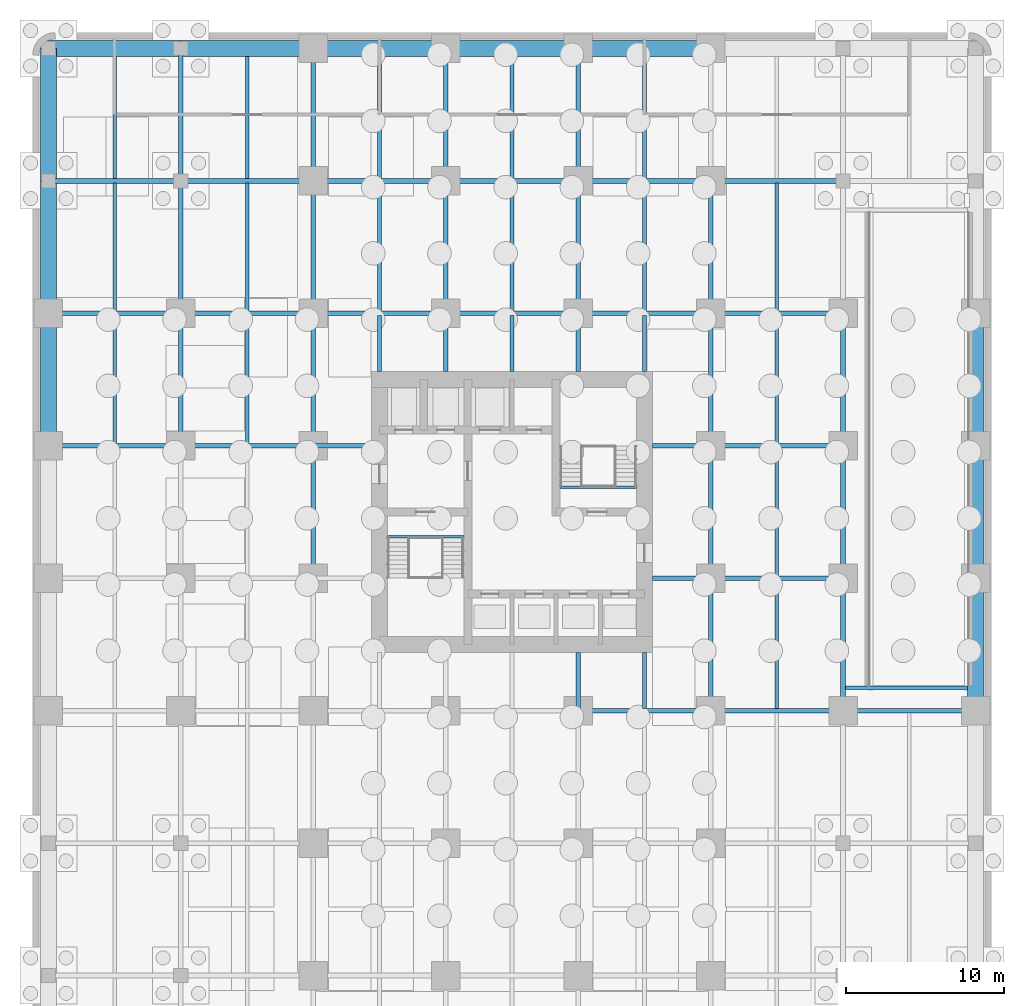
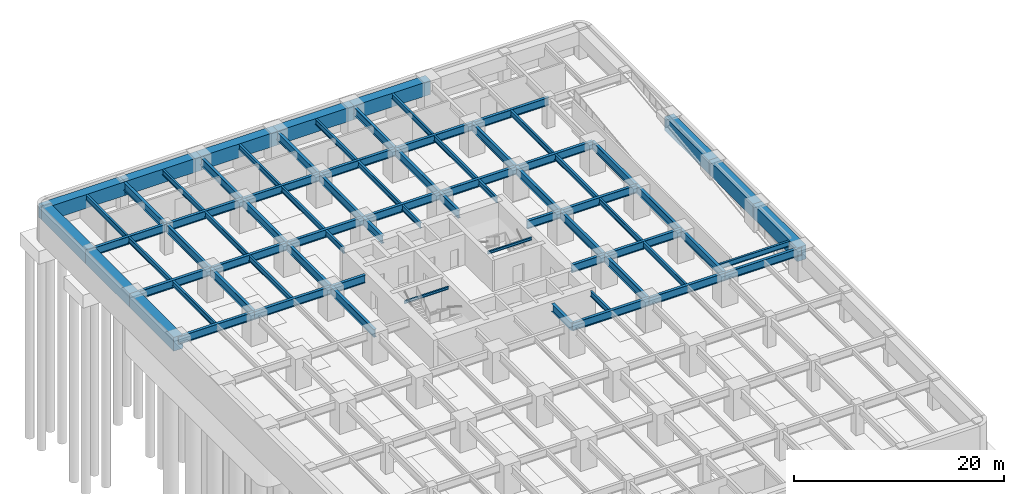
# One storey, part 4 of 11: 77 beams.
"""IFC4 building model written with IfcOpenShell, lengths in metres."""

from ifc_helpers import new_model, si_unit, direction, frame, origin, origin_2d, place, context, subcontext, project, spatial, rectangle, i_section, extrude, material, material_profile, profile_set, type_object, element, save


model = new_model("IFC4")

# Units and contexts
model_context = context("Model", 3, precision=1e-05, world=origin(), true_north=direction((0.0, 1.0)))
body_context = subcontext(model_context, "Body", "Model", "MODEL_VIEW")
ifc_project = project(units=[si_unit("LENGTHUNIT", "METRE"), si_unit("AREAUNIT", "SQUARE_METRE"), si_unit("VOLUMEUNIT", "CUBIC_METRE"), si_unit("PLANEANGLEUNIT", "RADIAN"), si_unit("MASSUNIT", "GRAM", prefix="KILO")], contexts=[model_context])

# Site, building, storey
site_placement = place(None, origin())
site = spatial("IfcSite", under=ifc_project, at=site_placement, CompositionType="ELEMENT")
building_placement = place(site_placement, origin())
building = spatial("IfcBuilding", under=site, at=building_placement, Name="Torre Alcanfor", CompositionType="ELEMENT")
storey_placement = place(building_placement, frame((0.0, 0.0, -7.199951171875)))
storey = spatial("IfcBuildingStorey", under=building, at=storey_placement, Name="B2", CompositionType="ELEMENT", Elevation=-7.199951171875)

# Beams
ifc_material_1 = material(Name="Steel ASTM A992 Grade 50", Category="steel")
ifc_material_profile_1 = material_profile(ifc_material_1, i_section(OverallWidth=0.3046875, OverallDepth=0.911865234375, WebThickness=0.015869140625, FlangeThickness=0.02392578125, at=origin_2d()), Name="W36x150")
ifc_profile_set_1 = profile_set([ifc_material_profile_1], Name="Steel ASTM A992 Grade 50")
beam_type_1 = type_object("IfcBeamType", Name="Girder W36x150", PredefinedType="BEAM", material=ifc_profile_set_1)
for number, where, z_axis, x_axis, name in (
    (1, (33.60009765625, 16.800048828125, 2.89404296875), (1.0, 0.0, 0.0), (0.0, 1.0, 0.0), "Beam 5E-6E under B1"),
    (2, (42.0, 16.800048828125, 2.89404296875), (1.0, 0.0, 0.0), (0.0, 1.0, 0.0), "Beam 6E-7E under B1"),
):
    element("IfcBeam", number, at=place(storey_placement, frame(where, z_axis=z_axis, x_axis=x_axis)), inside=storey, type_object=beam_type_1, Name=name, PredefinedType="BEAM", context=body_context, shape_type="SweptSolid", body=[
        extrude(i_section(OverallWidth=0.3046875, OverallDepth=0.911865234375, WebThickness=0.015869140625, FlangeThickness=0.02392578125, at=origin_2d()), origin(), (0.0, 0.0, 1.0), 8.39990234375),
    ])
beam_1_placement = place(storey_placement, frame((50.39990234375, 16.800048828125, 2.89404296875), z_axis=(1.0, 0.0, 0.0), x_axis=(0.0, 1.0, 0.0)))
element("IfcBeam", 3, at=beam_1_placement, inside=storey, type_object=beam_type_1, Name="Beam 7E-8E under B1", PredefinedType="BEAM", context=body_context, shape_type="SweptSolid", body=[
    extrude(i_section(OverallWidth=0.3046875, OverallDepth=0.911865234375, WebThickness=0.015869140625, FlangeThickness=0.02392578125, at=origin_2d()), origin(), (0.0, 0.0, 1.0), 8.400146484375),
])
for number, where, z_axis, x_axis, name in (
    (4, (42.0, 25.199951171875, 2.89404296875), (1.0, 0.0, 0.0), (0.0, 1.0, 0.0), "Beam 6F-7F under B1"),
    (5, (0.0, 33.60009765625, 2.89404296875), (1.0, 0.0, 0.0), (0.0, 1.0, 0.0), "Beam 1G-2G under B1"),
):
    element("IfcBeam", number, at=place(storey_placement, frame(where, z_axis=z_axis, x_axis=x_axis)), inside=storey, type_object=beam_type_1, Name=name, PredefinedType="BEAM", context=body_context, shape_type="SweptSolid", body=[
        extrude(i_section(OverallWidth=0.3046875, OverallDepth=0.911865234375, WebThickness=0.015869140625, FlangeThickness=0.02392578125, at=origin_2d()), origin(), (0.0, 0.0, 1.0), 8.39990234375),
    ])
beam_2_placement = place(storey_placement, frame((8.39990234375, 33.60009765625, 2.89404296875), z_axis=(1.0, 0.0, 0.0), x_axis=(0.0, 1.0, 0.0)))
element("IfcBeam", 6, at=beam_2_placement, inside=storey, type_object=beam_type_1, Name="Beam 2G-3G under B1", PredefinedType="BEAM", context=body_context, shape_type="SweptSolid", body=[
    extrude(i_section(OverallWidth=0.3046875, OverallDepth=0.911865234375, WebThickness=0.015869140625, FlangeThickness=0.02392578125, at=origin_2d()), origin(), (0.0, 0.0, 1.0), 8.400146484375),
])
for number, where, z_axis, x_axis, name in (
    (7, (42.0, 33.60009765625, 2.89404296875), (1.0, 0.0, 0.0), (0.0, 1.0, 0.0), "Beam 6G-7G under B1"),
    (8, (0.0, 42.0, 2.89404296875), (1.0, 0.0, 0.0), (0.0, 1.0, 0.0), "Beam 1H-2H under B1"),
):
    element("IfcBeam", number, at=place(storey_placement, frame(where, z_axis=z_axis, x_axis=x_axis)), inside=storey, type_object=beam_type_1, Name=name, PredefinedType="BEAM", context=body_context, shape_type="SweptSolid", body=[
        extrude(i_section(OverallWidth=0.3046875, OverallDepth=0.911865234375, WebThickness=0.015869140625, FlangeThickness=0.02392578125, at=origin_2d()), origin(), (0.0, 0.0, 1.0), 8.39990234375),
    ])
beam_3_placement = place(storey_placement, frame((8.39990234375, 42.0, 2.89404296875), z_axis=(1.0, 0.0, 0.0), x_axis=(0.0, 1.0, 0.0)))
element("IfcBeam", 9, at=beam_3_placement, inside=storey, type_object=beam_type_1, Name="Beam 2H-3H under B1", PredefinedType="BEAM", context=body_context, shape_type="SweptSolid", body=[
    extrude(i_section(OverallWidth=0.3046875, OverallDepth=0.911865234375, WebThickness=0.015869140625, FlangeThickness=0.02392578125, at=origin_2d()), origin(), (0.0, 0.0, 1.0), 8.400146484375),
])
beam_4_placement = place(storey_placement, frame((16.800048828125, 42.0, 2.89404296875), z_axis=(1.0, 0.0, 0.0), x_axis=(0.0, 1.0, 0.0)))
element("IfcBeam", 10, at=beam_4_placement, inside=storey, type_object=beam_type_1, Name="Beam 3H-4H under B1", PredefinedType="BEAM", context=body_context, shape_type="SweptSolid", body=[
    extrude(i_section(OverallWidth=0.3046875, OverallDepth=0.911865234375, WebThickness=0.015869140625, FlangeThickness=0.02392578125, at=origin_2d()), origin(), (0.0, 0.0, 1.0), 8.39990234375),
])
beam_5_placement = place(storey_placement, frame((25.199951171875, 42.0, 2.89404296875), z_axis=(1.0, 0.0, 0.0), x_axis=(0.0, 1.0, 0.0)))
element("IfcBeam", 11, at=beam_5_placement, inside=storey, type_object=beam_type_1, Name="Beam 4H-5H under B1", PredefinedType="BEAM", context=body_context, shape_type="SweptSolid", body=[
    extrude(i_section(OverallWidth=0.3046875, OverallDepth=0.911865234375, WebThickness=0.015869140625, FlangeThickness=0.02392578125, at=origin_2d()), origin(), (0.0, 0.0, 1.0), 8.400146484375),
])
for number, where, z_axis, x_axis, name in (
    (12, (33.60009765625, 42.0, 2.89404296875), (1.0, 0.0, 0.0), (0.0, 1.0, 0.0), "Beam 5H-6H under B1"),
    (13, (42.0, 42.0, 2.89404296875), (1.0, 0.0, 0.0), (0.0, 1.0, 0.0), "Beam 6H-7H under B1"),
    (14, (0.0, 50.39990234375, 2.89404296875), (1.0, 0.0, 0.0), (0.0, 1.0, 0.0), "Beam 1J-2J under B1"),
):
    element("IfcBeam", number, at=place(storey_placement, frame(where, z_axis=z_axis, x_axis=x_axis)), inside=storey, type_object=beam_type_1, Name=name, PredefinedType="BEAM", context=body_context, shape_type="SweptSolid", body=[
        extrude(i_section(OverallWidth=0.3046875, OverallDepth=0.911865234375, WebThickness=0.015869140625, FlangeThickness=0.02392578125, at=origin_2d()), origin(), (0.0, 0.0, 1.0), 8.39990234375),
    ])
beam_6_placement = place(storey_placement, frame((8.39990234375, 50.39990234375, 2.89404296875), z_axis=(1.0, 0.0, 0.0), x_axis=(0.0, 1.0, 0.0)))
element("IfcBeam", 15, at=beam_6_placement, inside=storey, type_object=beam_type_1, Name="Beam 2J-3J under B1", PredefinedType="BEAM", context=body_context, shape_type="SweptSolid", body=[
    extrude(i_section(OverallWidth=0.3046875, OverallDepth=0.911865234375, WebThickness=0.015869140625, FlangeThickness=0.02392578125, at=origin_2d()), origin(), (0.0, 0.0, 1.0), 8.400146484375),
])
beam_7_placement = place(storey_placement, frame((16.800048828125, 50.39990234375, 2.89404296875), z_axis=(1.0, 0.0, 0.0), x_axis=(0.0, 1.0, 0.0)))
element("IfcBeam", 16, at=beam_7_placement, inside=storey, type_object=beam_type_1, Name="Beam 3J-4J under B1", PredefinedType="BEAM", context=body_context, shape_type="SweptSolid", body=[
    extrude(i_section(OverallWidth=0.3046875, OverallDepth=0.911865234375, WebThickness=0.015869140625, FlangeThickness=0.02392578125, at=origin_2d()), origin(), (0.0, 0.0, 1.0), 8.39990234375),
])
beam_8_placement = place(storey_placement, frame((25.199951171875, 50.39990234375, 2.89404296875), z_axis=(1.0, 0.0, 0.0), x_axis=(0.0, 1.0, 0.0)))
element("IfcBeam", 17, at=beam_8_placement, inside=storey, type_object=beam_type_1, Name="Beam 4J-5J under B1", PredefinedType="BEAM", context=body_context, shape_type="SweptSolid", body=[
    extrude(i_section(OverallWidth=0.3046875, OverallDepth=0.911865234375, WebThickness=0.015869140625, FlangeThickness=0.02392578125, at=origin_2d()), origin(), (0.0, 0.0, 1.0), 8.400146484375),
])
for number, where, z_axis, x_axis, name in (
    (18, (33.60009765625, 50.39990234375, 2.89404296875), (1.0, 0.0, 0.0), (0.0, 1.0, 0.0), "Beam 5J-6J under B1"),
    (19, (42.0, 50.39990234375, 2.89404296875), (1.0, 0.0, 0.0), (0.0, 1.0, 0.0), "Beam 6J-7J under B1"),
    (20, (8.39990234375, 33.60009765625, 2.89404296875), (0.0, 1.0, 0.0), (-1.0, 0.0, 0.0), "Beam 2G-2H under B1"),
    (21, (8.39990234375, 42.0, 2.89404296875), (0.0, 1.0, 0.0), (-1.0, 0.0, 0.0), "Beam 2H-2J under B1"),
):
    element("IfcBeam", number, at=place(storey_placement, frame(where, z_axis=z_axis, x_axis=x_axis)), inside=storey, type_object=beam_type_1, Name=name, PredefinedType="BEAM", context=body_context, shape_type="SweptSolid", body=[
        extrude(i_section(OverallWidth=0.3046875, OverallDepth=0.911865234375, WebThickness=0.015869140625, FlangeThickness=0.02392578125, at=origin_2d()), origin(), (0.0, 0.0, 1.0), 8.39990234375),
    ])
for number, where, z_axis, x_axis, name in (
    (22, (8.39990234375, 50.39990234375, 2.89404296875), (0.0, 1.0, 0.0), (-1.0, 0.0, 0.0), "Beam 2J-2K under B1"),
    (23, (16.800048828125, 25.199951171875, 2.89404296875), (0.0, 1.0, 0.0), (-1.0, 0.0, 0.0), "Beam 3F-3G under B1"),
):
    element("IfcBeam", number, at=place(storey_placement, frame(where, z_axis=z_axis, x_axis=x_axis)), inside=storey, type_object=beam_type_1, Name=name, PredefinedType="BEAM", context=body_context, shape_type="SweptSolid", body=[
        extrude(i_section(OverallWidth=0.3046875, OverallDepth=0.911865234375, WebThickness=0.015869140625, FlangeThickness=0.02392578125, at=origin_2d()), origin(), (0.0, 0.0, 1.0), 8.400146484375),
    ])
for number, where, z_axis, x_axis, name in (
    (24, (16.800048828125, 33.60009765625, 2.89404296875), (0.0, 1.0, 0.0), (-1.0, 0.0, 0.0), "Beam 3G-3H under B1"),
    (25, (16.800048828125, 42.0, 2.89404296875), (0.0, 1.0, 0.0), (-1.0, 0.0, 0.0), "Beam 3H-3J under B1"),
):
    element("IfcBeam", number, at=place(storey_placement, frame(where, z_axis=z_axis, x_axis=x_axis)), inside=storey, type_object=beam_type_1, Name=name, PredefinedType="BEAM", context=body_context, shape_type="SweptSolid", body=[
        extrude(i_section(OverallWidth=0.3046875, OverallDepth=0.911865234375, WebThickness=0.015869140625, FlangeThickness=0.02392578125, at=origin_2d()), origin(), (0.0, 0.0, 1.0), 8.39990234375),
    ])
beam_9_placement = place(storey_placement, frame((16.800048828125, 50.39990234375, 2.89404296875), z_axis=(0.0, 1.0, 0.0), x_axis=(-1.0, 0.0, 0.0)))
element("IfcBeam", 26, at=beam_9_placement, inside=storey, type_object=beam_type_1, Name="Beam 3J-3K under B1", PredefinedType="BEAM", context=body_context, shape_type="SweptSolid", body=[
    extrude(i_section(OverallWidth=0.3046875, OverallDepth=0.911865234375, WebThickness=0.015869140625, FlangeThickness=0.02392578125, at=origin_2d()), origin(), (0.0, 0.0, 1.0), 8.400146484375),
])
beam_10_placement = place(storey_placement, frame((25.199951171875, 42.0, 2.89404296875), z_axis=(0.0, 1.0, 0.0), x_axis=(-1.0, 0.0, 0.0)))
element("IfcBeam", 27, at=beam_10_placement, inside=storey, type_object=beam_type_1, Name="Beam 4H-4J under B1", PredefinedType="BEAM", context=body_context, shape_type="SweptSolid", body=[
    extrude(i_section(OverallWidth=0.3046875, OverallDepth=0.911865234375, WebThickness=0.015869140625, FlangeThickness=0.02392578125, at=origin_2d()), origin(), (0.0, 0.0, 1.0), 8.39990234375),
])
beam_11_placement = place(storey_placement, frame((25.199951171875, 50.39990234375, 2.89404296875), z_axis=(0.0, 1.0, 0.0), x_axis=(-1.0, 0.0, 0.0)))
element("IfcBeam", 28, at=beam_11_placement, inside=storey, type_object=beam_type_1, Name="Beam 4J-4K under B1", PredefinedType="BEAM", context=body_context, shape_type="SweptSolid", body=[
    extrude(i_section(OverallWidth=0.3046875, OverallDepth=0.911865234375, WebThickness=0.015869140625, FlangeThickness=0.02392578125, at=origin_2d()), origin(), (0.0, 0.0, 1.0), 8.400146484375),
])
beam_12_placement = place(storey_placement, frame((33.60009765625, 42.0, 2.89404296875), z_axis=(0.0, 1.0, 0.0), x_axis=(-1.0, 0.0, 0.0)))
element("IfcBeam", 29, at=beam_12_placement, inside=storey, type_object=beam_type_1, Name="Beam 5H-5J under B1", PredefinedType="BEAM", context=body_context, shape_type="SweptSolid", body=[
    extrude(i_section(OverallWidth=0.3046875, OverallDepth=0.911865234375, WebThickness=0.015869140625, FlangeThickness=0.02392578125, at=origin_2d()), origin(), (0.0, 0.0, 1.0), 8.39990234375),
])
beam_13_placement = place(storey_placement, frame((33.60009765625, 50.39990234375, 2.89404296875), z_axis=(0.0, 1.0, 0.0), x_axis=(-1.0, 0.0, 0.0)))
element("IfcBeam", 30, at=beam_13_placement, inside=storey, type_object=beam_type_1, Name="Beam 5J-5K under B1", PredefinedType="BEAM", context=body_context, shape_type="SweptSolid", body=[
    extrude(i_section(OverallWidth=0.3046875, OverallDepth=0.911865234375, WebThickness=0.015869140625, FlangeThickness=0.02392578125, at=origin_2d()), origin(), (0.0, 0.0, 1.0), 8.400146484375),
])
beam_14_placement = place(storey_placement, frame((42.0, 16.800048828125, 2.89404296875), z_axis=(0.0, 1.0, 0.0), x_axis=(-1.0, 0.0, 0.0)))
element("IfcBeam", 31, at=beam_14_placement, inside=storey, type_object=beam_type_1, Name="Beam 6E-6F under B1", PredefinedType="BEAM", context=body_context, shape_type="SweptSolid", body=[
    extrude(i_section(OverallWidth=0.3046875, OverallDepth=0.911865234375, WebThickness=0.015869140625, FlangeThickness=0.02392578125, at=origin_2d()), origin(), (0.0, 0.0, 1.0), 8.39990234375),
])
beam_15_placement = place(storey_placement, frame((42.0, 25.199951171875, 2.89404296875), z_axis=(0.0, 1.0, 0.0), x_axis=(-1.0, 0.0, 0.0)))
element("IfcBeam", 32, at=beam_15_placement, inside=storey, type_object=beam_type_1, Name="Beam 6F-6G under B1", PredefinedType="BEAM", context=body_context, shape_type="SweptSolid", body=[
    extrude(i_section(OverallWidth=0.3046875, OverallDepth=0.911865234375, WebThickness=0.015869140625, FlangeThickness=0.02392578125, at=origin_2d()), origin(), (0.0, 0.0, 1.0), 8.400146484375),
])
for number, where, z_axis, x_axis, name in (
    (33, (42.0, 33.60009765625, 2.89404296875), (0.0, 1.0, 0.0), (-1.0, 0.0, 0.0), "Beam 6G-6H under B1"),
    (34, (42.0, 42.0, 2.89404296875), (0.0, 1.0, 0.0), (-1.0, 0.0, 0.0), "Beam 6H-6J under B1"),
    (35, (50.39990234375, 16.800048828125, 2.89404296875), (0.0, 1.0, 0.0), (-1.0, 0.0, 0.0), "Beam 7E-7F under B1"),
):
    element("IfcBeam", number, at=place(storey_placement, frame(where, z_axis=z_axis, x_axis=x_axis)), inside=storey, type_object=beam_type_1, Name=name, PredefinedType="BEAM", context=body_context, shape_type="SweptSolid", body=[
        extrude(i_section(OverallWidth=0.3046875, OverallDepth=0.911865234375, WebThickness=0.015869140625, FlangeThickness=0.02392578125, at=origin_2d()), origin(), (0.0, 0.0, 1.0), 8.39990234375),
    ])
beam_16_placement = place(storey_placement, frame((50.39990234375, 25.199951171875, 2.89404296875), z_axis=(0.0, 1.0, 0.0), x_axis=(-1.0, 0.0, 0.0)))
element("IfcBeam", 36, at=beam_16_placement, inside=storey, type_object=beam_type_1, Name="Beam 7F-7G under B1", PredefinedType="BEAM", context=body_context, shape_type="SweptSolid", body=[
    extrude(i_section(OverallWidth=0.3046875, OverallDepth=0.911865234375, WebThickness=0.015869140625, FlangeThickness=0.02392578125, at=origin_2d()), origin(), (0.0, 0.0, 1.0), 8.400146484375),
])
beam_17_placement = place(storey_placement, frame((50.39990234375, 33.60009765625, 2.89404296875), z_axis=(0.0, 1.0, 0.0), x_axis=(-1.0, 0.0, 0.0)))
element("IfcBeam", 37, at=beam_17_placement, inside=storey, type_object=beam_type_1, Name="Beam 7G-7H under B1", PredefinedType="BEAM", context=body_context, shape_type="SweptSolid", body=[
    extrude(i_section(OverallWidth=0.3046875, OverallDepth=0.911865234375, WebThickness=0.015869140625, FlangeThickness=0.02392578125, at=origin_2d()), origin(), (0.0, 0.0, 1.0), 8.39990234375),
])
ifc_material_2 = material(Name="Steel ASTM A992 Grade 50", Category="steel")
ifc_material_profile_2 = material_profile(ifc_material_2, i_section(OverallWidth=0.3046875, OverallDepth=0.911865234375, WebThickness=0.015869140625, FlangeThickness=0.02392578125, at=origin_2d()), Name="W36x150")
ifc_profile_set_2 = profile_set([ifc_material_profile_2], Name="Steel ASTM A992 Grade 50")
beam_type_2 = type_object("IfcBeamType", Name="Girder, part bay W36x150", PredefinedType="BEAM", material=ifc_profile_set_2)
for number, where, z_axis, x_axis, name in (
    (38, (25.199951171875, 42.0, 2.89404296875), (0.0, -1.0, 0.0), (1.0, 0.0, 0.0), "Beam 4H-438_3 under B1"),
    (39, (33.60009765625, 16.800048828125, 2.89404296875), (0.0, 1.0, 0.0), (-1.0, 0.0, 0.0), "Beam 5E-520_5 under B1"),
    (40, (33.60009765625, 42.0, 2.89404296875), (0.0, -1.0, 0.0), (1.0, 0.0, 0.0), "Beam 5H-538_3 under B1"),
    (41, (42.0, 25.199951171875, 2.89404296875), (-1.0, 0.0, 0.0), (0.0, -1.0, 0.0), "Beam 6F-38_3F under B1"),
    (42, (16.800048828125, 33.60009765625, 2.89404296875), (1.0, 0.0, 0.0), (0.0, 1.0, 0.0), "Beam 3G-20_5G under B1"),
    (43, (42.0, 33.60009765625, 2.89404296875), (-1.0, 0.0, 0.0), (0.0, -1.0, 0.0), "Beam 6G-38_3G under B1"),
):
    element("IfcBeam", number, at=place(storey_placement, frame(where, z_axis=z_axis, x_axis=x_axis)), inside=storey, type_object=beam_type_2, Name=name, PredefinedType="BEAM", context=body_context, shape_type="SweptSolid", body=[
        extrude(i_section(OverallWidth=0.3046875, OverallDepth=0.911865234375, WebThickness=0.015869140625, FlangeThickness=0.02392578125, at=origin_2d()), origin(), (0.0, 0.0, 1.0), 3.699951171875),
    ])
ifc_material_3 = material(Name="Concrete f'c 70 MPa", Category="concrete")
ifc_material_profile_3 = material_profile(ifc_material_3, rectangle(XDim=1.0, YDim=1.60009765625, at=origin_2d()), Name="1000x1600")
ifc_profile_set_3 = profile_set([ifc_material_profile_3], Name="Concrete f'c 70 MPa")
beam_type_3 = type_object("IfcBeamType", Name="RC perimeter beam 1000x1600", PredefinedType="BEAM", material=ifc_profile_set_3)
beam_18_placement = place(storey_placement, frame((-0.5, 58.800048828125, 2.550048828125), z_axis=(1.0, 0.0, 0.0), x_axis=(0.0, 1.0, 0.0)))
element("IfcBeam", 44, at=beam_18_placement, inside=storey, type_object=beam_type_3, Name="Beam 1K-2K under B1", PredefinedType="BEAM", context=body_context, shape_type="SweptSolid", body=[
    extrude(rectangle(XDim=1.0, YDim=1.60009765625, at=origin_2d()), origin(), (0.0, 0.0, 1.0), 8.89990234375),
])
beam_19_placement = place(storey_placement, frame((8.39990234375, 58.800048828125, 2.550048828125), z_axis=(1.0, 0.0, 0.0), x_axis=(0.0, 1.0, 0.0)))
element("IfcBeam", 45, at=beam_19_placement, inside=storey, type_object=beam_type_3, Name="Beam 2K-3K under B1", PredefinedType="BEAM", context=body_context, shape_type="SweptSolid", body=[
    extrude(rectangle(XDim=1.0, YDim=1.60009765625, at=origin_2d()), origin(), (0.0, 0.0, 1.0), 8.400146484375),
])
beam_20_placement = place(storey_placement, frame((16.800048828125, 58.800048828125, 2.550048828125), z_axis=(1.0, 0.0, 0.0), x_axis=(0.0, 1.0, 0.0)))
element("IfcBeam", 46, at=beam_20_placement, inside=storey, type_object=beam_type_3, Name="Beam 3K-4K under B1", PredefinedType="BEAM", context=body_context, shape_type="SweptSolid", body=[
    extrude(rectangle(XDim=1.0, YDim=1.60009765625, at=origin_2d()), origin(), (0.0, 0.0, 1.0), 8.39990234375),
])
beam_21_placement = place(storey_placement, frame((25.199951171875, 58.800048828125, 2.550048828125), z_axis=(1.0, 0.0, 0.0), x_axis=(0.0, 1.0, 0.0)))
element("IfcBeam", 47, at=beam_21_placement, inside=storey, type_object=beam_type_3, Name="Beam 4K-5K under B1", PredefinedType="BEAM", context=body_context, shape_type="SweptSolid", body=[
    extrude(rectangle(XDim=1.0, YDim=1.60009765625, at=origin_2d()), origin(), (0.0, 0.0, 1.0), 8.400146484375),
])
for number, where, z_axis, x_axis, name in (
    (48, (33.60009765625, 58.800048828125, 2.550048828125), (1.0, 0.0, 0.0), (0.0, 1.0, 0.0), "Beam 5K-6K under B1"),
    (49, (0.0, 33.60009765625, 2.550048828125), (0.0, 1.0, 0.0), (-1.0, 0.0, 0.0), "Beam 1G-1H under B1"),
    (50, (0.0, 42.0, 2.550048828125), (0.0, 1.0, 0.0), (-1.0, 0.0, 0.0), "Beam 1H-1J under B1"),
):
    element("IfcBeam", number, at=place(storey_placement, frame(where, z_axis=z_axis, x_axis=x_axis)), inside=storey, type_object=beam_type_3, Name=name, PredefinedType="BEAM", context=body_context, shape_type="SweptSolid", body=[
        extrude(rectangle(XDim=1.0, YDim=1.60009765625, at=origin_2d()), origin(), (0.0, 0.0, 1.0), 8.39990234375),
    ])
beam_22_placement = place(storey_placement, frame((0.0, 50.39990234375, 2.550048828125), z_axis=(0.0, 1.0, 0.0), x_axis=(-1.0, 0.0, 0.0)))
element("IfcBeam", 51, at=beam_22_placement, inside=storey, type_object=beam_type_3, Name="Beam 1J-1K under B1", PredefinedType="BEAM", context=body_context, shape_type="SweptSolid", body=[
    extrude(rectangle(XDim=1.0, YDim=1.60009765625, at=origin_2d()), origin(), (0.0, 0.0, 1.0), 8.400146484375),
])
beam_23_placement = place(storey_placement, frame((58.800048828125, 16.800048828125, 2.550048828125), z_axis=(0.0, 1.0, 0.0), x_axis=(-1.0, 0.0, 0.0)))
element("IfcBeam", 52, at=beam_23_placement, inside=storey, type_object=beam_type_3, Name="Beam 8E-8F under B1", PredefinedType="BEAM", context=body_context, shape_type="SweptSolid", body=[
    extrude(rectangle(XDim=1.0, YDim=1.60009765625, at=origin_2d()), origin(), (0.0, 0.0, 1.0), 8.39990234375),
])
beam_24_placement = place(storey_placement, frame((58.800048828125, 25.199951171875, 2.550048828125), z_axis=(0.0, 1.0, 0.0), x_axis=(-1.0, 0.0, 0.0)))
element("IfcBeam", 53, at=beam_24_placement, inside=storey, type_object=beam_type_3, Name="Beam 8F-8G under B1", PredefinedType="BEAM", context=body_context, shape_type="SweptSolid", body=[
    extrude(rectangle(XDim=1.0, YDim=1.60009765625, at=origin_2d()), origin(), (0.0, 0.0, 1.0), 8.400146484375),
])
beam_25_placement = place(storey_placement, frame((58.800048828125, 33.60009765625, 2.550048828125), z_axis=(0.0, 1.0, 0.0), x_axis=(-1.0, 0.0, 0.0)))
element("IfcBeam", 54, at=beam_25_placement, inside=storey, type_object=beam_type_3, Name="Beam 8G-8H under B1", PredefinedType="BEAM", context=body_context, shape_type="SweptSolid", body=[
    extrude(rectangle(XDim=1.0, YDim=1.60009765625, at=origin_2d()), origin(), (0.0, 0.0, 1.0), 8.39990234375),
])
ifc_material_4 = material(Name="Steel ASTM A992 Grade 50", Category="steel")
ifc_material_profile_4 = material_profile(ifc_material_4, i_section(OverallWidth=0.22900390625, OverallDepth=0.612060546875, WebThickness=0.011962890625, FlangeThickness=0.01953125, at=origin_2d()), Name="W24x84")
ifc_profile_set_4 = profile_set([ifc_material_profile_4], Name="Steel ASTM A992 Grade 50")
beam_type_4 = type_object("IfcBeamType", Name="Ramp opening trimmer beam W24x84", PredefinedType="BEAM", material=ifc_profile_set_4)
beam_26_placement = place(storey_placement, frame((50.552001953125, 18.25, 3.0439453125), z_axis=(1.0, 0.0, 0.0), x_axis=(0.0, 1.0, 0.0)))
element("IfcBeam", 55, at=beam_26_placement, inside=storey, type_object=beam_type_4, Name="Beam 718_25-818_25 under B1", PredefinedType="BEAM", context=body_context, shape_type="SweptSolid", body=[
    extrude(i_section(OverallWidth=0.22900390625, OverallDepth=0.612060546875, WebThickness=0.011962890625, FlangeThickness=0.01953125, at=origin_2d()), origin(), (0.0, 0.0, 1.0), 7.748046875),
])
ifc_material_5 = material(Name="Steel ASTM A992 Grade 50", Category="steel")
ifc_material_profile_5 = material_profile(ifc_material_5, i_section(OverallWidth=0.22900390625, OverallDepth=0.612060546875, WebThickness=0.011962890625, FlangeThickness=0.01953125, at=origin_2d()), Name="W24x84")
ifc_profile_set_5 = profile_set([ifc_material_profile_5], Name="Steel ASTM A992 Grade 50")
beam_type_5 = type_object("IfcBeamType", Name="Secondary beam W24x84", PredefinedType="BEAM", material=ifc_profile_set_5)
for number, where, z_axis, x_axis, name in (
    (56, (4.199951171875, 33.751953125, 3.0439453125), (0.0, 1.0, 0.0), (-1.0, 0.0, 0.0), "Beam 4_2G-4_2H under B1"),
    (57, (4.199951171875, 42.152099609375, 3.0439453125), (0.0, 1.0, 0.0), (-1.0, 0.0, 0.0), "Beam 4_2H-4_2J under B1"),
):
    element("IfcBeam", number, at=place(storey_placement, frame(where, z_axis=z_axis, x_axis=x_axis)), inside=storey, type_object=beam_type_5, Name=name, PredefinedType="BEAM", context=body_context, shape_type="SweptSolid", body=[
        extrude(i_section(OverallWidth=0.22900390625, OverallDepth=0.612060546875, WebThickness=0.011962890625, FlangeThickness=0.01953125, at=origin_2d()), origin(), (0.0, 0.0, 1.0), 8.095947265625),
    ])
beam_27_placement = place(storey_placement, frame((4.199951171875, 50.552001953125, 3.0439453125), z_axis=(0.0, 1.0, 0.0), x_axis=(-1.0, 0.0, 0.0)))
element("IfcBeam", 58, at=beam_27_placement, inside=storey, type_object=beam_type_5, Name="Beam 4_2J-4_2K under B1", PredefinedType="BEAM", context=body_context, shape_type="SweptSolid", body=[
    extrude(i_section(OverallWidth=0.22900390625, OverallDepth=0.612060546875, WebThickness=0.011962890625, FlangeThickness=0.01953125, at=origin_2d()), origin(), (0.0, 0.0, 1.0), 7.748046875),
])
for number, where, z_axis, x_axis, name in (
    (59, (12.60009765625, 33.751953125, 3.0439453125), (0.0, 1.0, 0.0), (-1.0, 0.0, 0.0), "Beam 12_6G-12_6H under B1"),
    (60, (12.60009765625, 42.152099609375, 3.0439453125), (0.0, 1.0, 0.0), (-1.0, 0.0, 0.0), "Beam 12_6H-12_6J under B1"),
):
    element("IfcBeam", number, at=place(storey_placement, frame(where, z_axis=z_axis, x_axis=x_axis)), inside=storey, type_object=beam_type_5, Name=name, PredefinedType="BEAM", context=body_context, shape_type="SweptSolid", body=[
        extrude(i_section(OverallWidth=0.22900390625, OverallDepth=0.612060546875, WebThickness=0.011962890625, FlangeThickness=0.01953125, at=origin_2d()), origin(), (0.0, 0.0, 1.0), 8.095947265625),
    ])
beam_28_placement = place(storey_placement, frame((12.60009765625, 50.552001953125, 3.0439453125), z_axis=(0.0, 1.0, 0.0), x_axis=(-1.0, 0.0, 0.0)))
element("IfcBeam", 61, at=beam_28_placement, inside=storey, type_object=beam_type_5, Name="Beam 12_6J-12_6K under B1", PredefinedType="BEAM", context=body_context, shape_type="SweptSolid", body=[
    extrude(i_section(OverallWidth=0.22900390625, OverallDepth=0.612060546875, WebThickness=0.011962890625, FlangeThickness=0.01953125, at=origin_2d()), origin(), (0.0, 0.0, 1.0), 7.748046875),
])
beam_29_placement = place(storey_placement, frame((21.0, 42.152099609375, 3.0439453125), z_axis=(0.0, 1.0, 0.0), x_axis=(-1.0, 0.0, 0.0)))
element("IfcBeam", 62, at=beam_29_placement, inside=storey, type_object=beam_type_5, Name="Beam 21H-21J under B1", PredefinedType="BEAM", context=body_context, shape_type="SweptSolid", body=[
    extrude(i_section(OverallWidth=0.22900390625, OverallDepth=0.612060546875, WebThickness=0.011962890625, FlangeThickness=0.01953125, at=origin_2d()), origin(), (0.0, 0.0, 1.0), 8.095947265625),
])
beam_30_placement = place(storey_placement, frame((21.0, 50.552001953125, 3.0439453125), z_axis=(0.0, 1.0, 0.0), x_axis=(-1.0, 0.0, 0.0)))
element("IfcBeam", 63, at=beam_30_placement, inside=storey, type_object=beam_type_5, Name="Beam 21J-21K under B1", PredefinedType="BEAM", context=body_context, shape_type="SweptSolid", body=[
    extrude(i_section(OverallWidth=0.22900390625, OverallDepth=0.612060546875, WebThickness=0.011962890625, FlangeThickness=0.01953125, at=origin_2d()), origin(), (0.0, 0.0, 1.0), 7.748046875),
])
beam_31_placement = place(storey_placement, frame((29.39990234375, 42.152099609375, 3.0439453125), z_axis=(0.0, 1.0, 0.0), x_axis=(-1.0, 0.0, 0.0)))
element("IfcBeam", 64, at=beam_31_placement, inside=storey, type_object=beam_type_5, Name="Beam 29_4H-29_4J under B1", PredefinedType="BEAM", context=body_context, shape_type="SweptSolid", body=[
    extrude(i_section(OverallWidth=0.22900390625, OverallDepth=0.612060546875, WebThickness=0.011962890625, FlangeThickness=0.01953125, at=origin_2d()), origin(), (0.0, 0.0, 1.0), 8.095947265625),
])
beam_32_placement = place(storey_placement, frame((29.39990234375, 50.552001953125, 3.0439453125), z_axis=(0.0, 1.0, 0.0), x_axis=(-1.0, 0.0, 0.0)))
element("IfcBeam", 65, at=beam_32_placement, inside=storey, type_object=beam_type_5, Name="Beam 29_4J-29_4K under B1", PredefinedType="BEAM", context=body_context, shape_type="SweptSolid", body=[
    extrude(i_section(OverallWidth=0.22900390625, OverallDepth=0.612060546875, WebThickness=0.011962890625, FlangeThickness=0.01953125, at=origin_2d()), origin(), (0.0, 0.0, 1.0), 7.748046875),
])
beam_33_placement = place(storey_placement, frame((37.800048828125, 42.152099609375, 3.0439453125), z_axis=(0.0, 1.0, 0.0), x_axis=(-1.0, 0.0, 0.0)))
element("IfcBeam", 66, at=beam_33_placement, inside=storey, type_object=beam_type_5, Name="Beam 37_8H-37_8J under B1", PredefinedType="BEAM", context=body_context, shape_type="SweptSolid", body=[
    extrude(i_section(OverallWidth=0.22900390625, OverallDepth=0.612060546875, WebThickness=0.011962890625, FlangeThickness=0.01953125, at=origin_2d()), origin(), (0.0, 0.0, 1.0), 8.095947265625),
])
beam_34_placement = place(storey_placement, frame((37.800048828125, 50.552001953125, 3.0439453125), z_axis=(0.0, 1.0, 0.0), x_axis=(-1.0, 0.0, 0.0)))
element("IfcBeam", 67, at=beam_34_placement, inside=storey, type_object=beam_type_5, Name="Beam 37_8J-37_8K under B1", PredefinedType="BEAM", context=body_context, shape_type="SweptSolid", body=[
    extrude(i_section(OverallWidth=0.22900390625, OverallDepth=0.612060546875, WebThickness=0.011962890625, FlangeThickness=0.01953125, at=origin_2d()), origin(), (0.0, 0.0, 1.0), 7.748046875),
])
beam_35_placement = place(storey_placement, frame((46.199951171875, 16.951904296875, 3.0439453125), z_axis=(0.0, 1.0, 0.0), x_axis=(-1.0, 0.0, 0.0)))
element("IfcBeam", 68, at=beam_35_placement, inside=storey, type_object=beam_type_5, Name="Beam 46_2E-46_2F under B1", PredefinedType="BEAM", context=body_context, shape_type="SweptSolid", body=[
    extrude(i_section(OverallWidth=0.22900390625, OverallDepth=0.612060546875, WebThickness=0.011962890625, FlangeThickness=0.01953125, at=origin_2d()), origin(), (0.0, 0.0, 1.0), 8.09619140625),
])
for number, where, z_axis, x_axis, name in (
    (69, (46.199951171875, 25.35205078125, 3.0439453125), (0.0, 1.0, 0.0), (-1.0, 0.0, 0.0), "Beam 46_2F-46_2G under B1"),
    (70, (46.199951171875, 33.751953125, 3.0439453125), (0.0, 1.0, 0.0), (-1.0, 0.0, 0.0), "Beam 46_2G-46_2H under B1"),
    (71, (46.199951171875, 42.152099609375, 3.0439453125), (0.0, 1.0, 0.0), (-1.0, 0.0, 0.0), "Beam 46_2H-46_2J under B1"),
):
    element("IfcBeam", number, at=place(storey_placement, frame(where, z_axis=z_axis, x_axis=x_axis)), inside=storey, type_object=beam_type_5, Name=name, PredefinedType="BEAM", context=body_context, shape_type="SweptSolid", body=[
        extrude(i_section(OverallWidth=0.22900390625, OverallDepth=0.612060546875, WebThickness=0.011962890625, FlangeThickness=0.01953125, at=origin_2d()), origin(), (0.0, 0.0, 1.0), 8.095947265625),
    ])
ifc_material_6 = material(Name="Steel ASTM A992 Grade 50", Category="steel")
ifc_material_profile_6 = material_profile(ifc_material_6, i_section(OverallWidth=0.22900390625, OverallDepth=0.612060546875, WebThickness=0.011962890625, FlangeThickness=0.01953125, at=origin_2d()), Name="W24x84")
ifc_profile_set_6 = profile_set([ifc_material_profile_6], Name="Steel ASTM A992 Grade 50")
beam_type_6 = type_object("IfcBeamType", Name="Secondary beam, part bay W24x84", PredefinedType="BEAM", material=ifc_profile_set_6)
for number, where, z_axis, x_axis, name in (
    (72, (21.0, 38.300048828125, 3.0439453125), (0.0, 1.0, 0.0), (-1.0, 0.0, 0.0), "Beam 2138_3-21H under B1"),
    (73, (29.39990234375, 38.300048828125, 3.0439453125), (0.0, 1.0, 0.0), (-1.0, 0.0, 0.0), "Beam 29_438_3-29_4H under B1"),
):
    element("IfcBeam", number, at=place(storey_placement, frame(where, z_axis=z_axis, x_axis=x_axis)), inside=storey, type_object=beam_type_6, Name=name, PredefinedType="BEAM", context=body_context, shape_type="SweptSolid", body=[
        extrude(i_section(OverallWidth=0.22900390625, OverallDepth=0.612060546875, WebThickness=0.011962890625, FlangeThickness=0.01953125, at=origin_2d()), origin(), (0.0, 0.0, 1.0), 3.5478515625),
    ])
beam_36_placement = place(storey_placement, frame((37.800048828125, 16.951904296875, 3.0439453125), z_axis=(0.0, 1.0, 0.0), x_axis=(-1.0, 0.0, 0.0)))
element("IfcBeam", 74, at=beam_36_placement, inside=storey, type_object=beam_type_6, Name="Beam 37_8E-37_820_5 under B1", PredefinedType="BEAM", context=body_context, shape_type="SweptSolid", body=[
    extrude(i_section(OverallWidth=0.22900390625, OverallDepth=0.612060546875, WebThickness=0.011962890625, FlangeThickness=0.01953125, at=origin_2d()), origin(), (0.0, 0.0, 1.0), 3.548095703125),
])
beam_37_placement = place(storey_placement, frame((37.800048828125, 38.300048828125, 3.0439453125), z_axis=(0.0, 1.0, 0.0), x_axis=(-1.0, 0.0, 0.0)))
element("IfcBeam", 75, at=beam_37_placement, inside=storey, type_object=beam_type_6, Name="Beam 37_838_3-37_8H under B1", PredefinedType="BEAM", context=body_context, shape_type="SweptSolid", body=[
    extrude(i_section(OverallWidth=0.22900390625, OverallDepth=0.612060546875, WebThickness=0.011962890625, FlangeThickness=0.01953125, at=origin_2d()), origin(), (0.0, 0.0, 1.0), 3.5478515625),
])
ifc_material_7 = material(Name="Steel ASTM A992 Grade 50", Category="steel")
ifc_material_profile_7 = material_profile(ifc_material_7, i_section(OverallWidth=0.164794921875, OverallDepth=0.309814453125, WebThickness=0.005859375, FlangeThickness=0.009765625, at=origin_2d()), Name="W12x26")
ifc_profile_set_7 = profile_set([ifc_material_profile_7], Name="Steel ASTM A992 Grade 50")
beam_type_7 = type_object("IfcBeamType", Name="Stair landing beam W12x26", PredefinedType="BEAM", material=ifc_profile_set_7)
for number, where, z_axis, x_axis, name in (
    (76, (21.5, 27.83740234375, 3.2451171875), (1.0, 0.0, 0.0), (0.0, 1.0, 0.0), "Landing trimmer S1 B1"),
    (77, (32.449951171875, 30.962646484375, 3.2451171875), (1.0, 0.0, 0.0), (0.0, 1.0, 0.0), "Landing trimmer S2 B1"),
):
    element("IfcBeam", number, at=place(storey_placement, frame(where, z_axis=z_axis, x_axis=x_axis)), inside=storey, type_object=beam_type_7, Name=name, PredefinedType="BEAM", context=body_context, shape_type="SweptSolid", body=[
        extrude(i_section(OverallWidth=0.164794921875, OverallDepth=0.309814453125, WebThickness=0.005859375, FlangeThickness=0.009765625, at=origin_2d()), origin(), (0.0, 0.0, 1.0), 4.85009765625),
    ])

save(model, "model.ifc")
